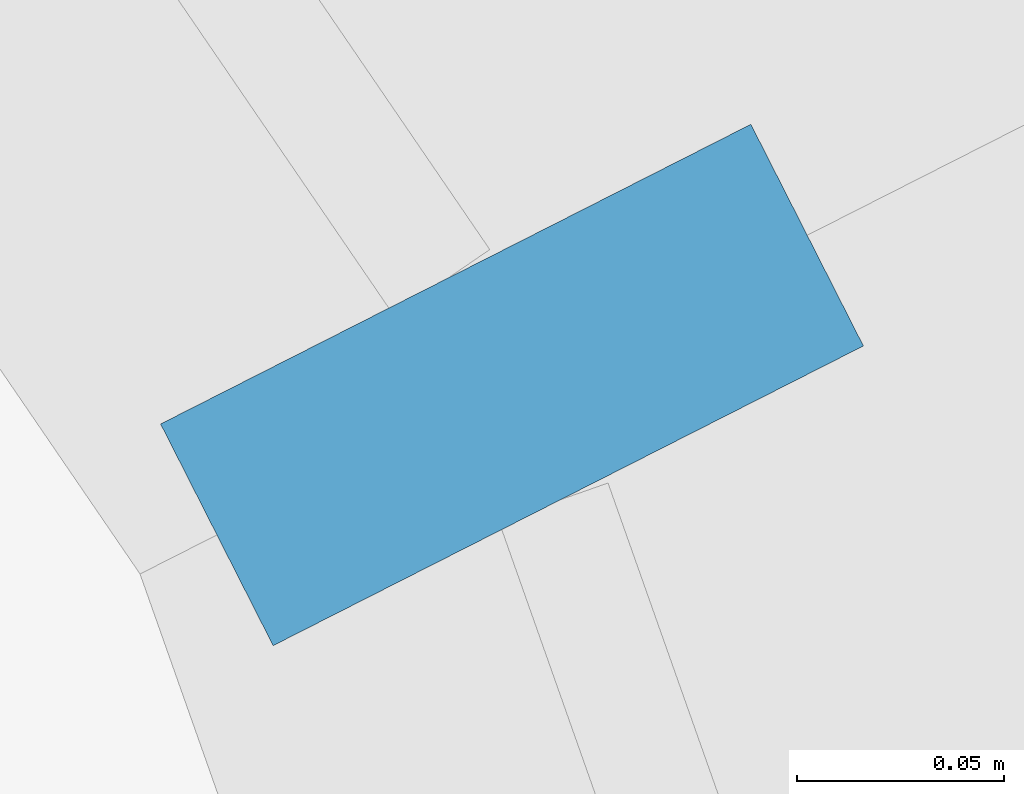
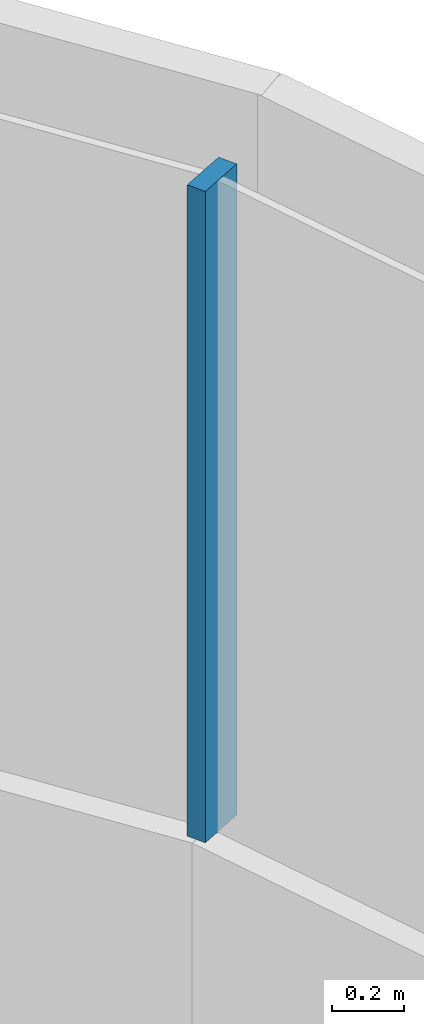
# One storey, part 11 of 33: 1 member, 1 element without a shape of its own.
"""IFC4 building model written with IfcOpenShell, lengths in metres."""

from ifc_helpers import new_model, si_unit, direction, frame, origin, origin_2d, place, context, subcontext, project, spatial, rectangle, extrude, material, layer, layer_set, material_profile, profile_set, type_object, element, aggregate, save


model = new_model("IFC4")

# Units and contexts
model_context = context("Model", 3, precision=1e-05, world=origin(), true_north=direction((0.0, 1.0)))
body_context = subcontext(model_context, "Body", "Model", "MODEL_VIEW")
ifc_project = project(units=[si_unit("LENGTHUNIT", "METRE"), si_unit("AREAUNIT", "SQUARE_METRE"), si_unit("VOLUMEUNIT", "CUBIC_METRE"), si_unit("PLANEANGLEUNIT", "RADIAN"), si_unit("MASSUNIT", "GRAM", prefix="KILO")], contexts=[model_context])

# Site, building, storey
site_placement = place(None, origin())
site = spatial("IfcSite", under=ifc_project, at=site_placement, CompositionType="ELEMENT")
building_placement = place(site_placement, origin())
building = spatial("IfcBuilding", under=site, at=building_placement, Name="Tamarind Cross Interchange Tower", CompositionType="ELEMENT")
storey_placement = place(building_placement, frame((0.0, 0.0, 159.25)))
storey = spatial("IfcBuildingStorey", under=building, at=storey_placement, Name="L39", CompositionType="ELEMENT", Elevation=159.25)

# Curtain wall, member
ifc_material = material(Name="Aluminium 6063-T6", Category="aluminium")
ifc_layer = layer(ifc_material, 0.159912109375)
ifc_layer_set = layer_set([ifc_layer], Name="Aluminium 6063-T6")
curtain_wall_type = type_object("IfcCurtainWallType", Name="Office curtain wall, 9.0 m bays", PredefinedType="NOTDEFINED", material=ifc_layer_set)
curtain_wall_placement = place(storey_placement, origin())
curtain_wall = element("IfcCurtainWall", 1, at=curtain_wall_placement, inside=storey, type_object=curtain_wall_type, Name="CWS-L39-05", PredefinedType="NOTDEFINED")
ifc_material_profile = material_profile(ifc_material, rectangle(XDim=0.06005859375, YDim=0.159912109375, at=origin_2d()), Name="Mullion CW1")
ifc_profile_set = profile_set([ifc_material_profile], Name="Aluminium 6063-T6")
member_type = type_object("IfcMemberType", Name="Mullion CW1", PredefinedType="MULLION", material=ifc_profile_set)
member_placement = place(storey_placement, frame((20.0224609375, -39.144287109375, 1.39990234375), z_axis=(0.0, 0.0, 1.0), x_axis=(-0.452684785934, 0.8916706144, 0.0)))
member = element("IfcMember", 2, at=member_placement, type_object=member_type, Name="CWM-L39-05-00", PredefinedType="MULLION", context=body_context, shape_type="SweptSolid", body=[
    extrude(rectangle(XDim=0.06005859375, YDim=0.159912109375, at=origin_2d()), origin(), (0.0, 0.0, 1.0), 2.210205078125),
])
aggregate(curtain_wall, [member])

save(model, "model.ifc")
